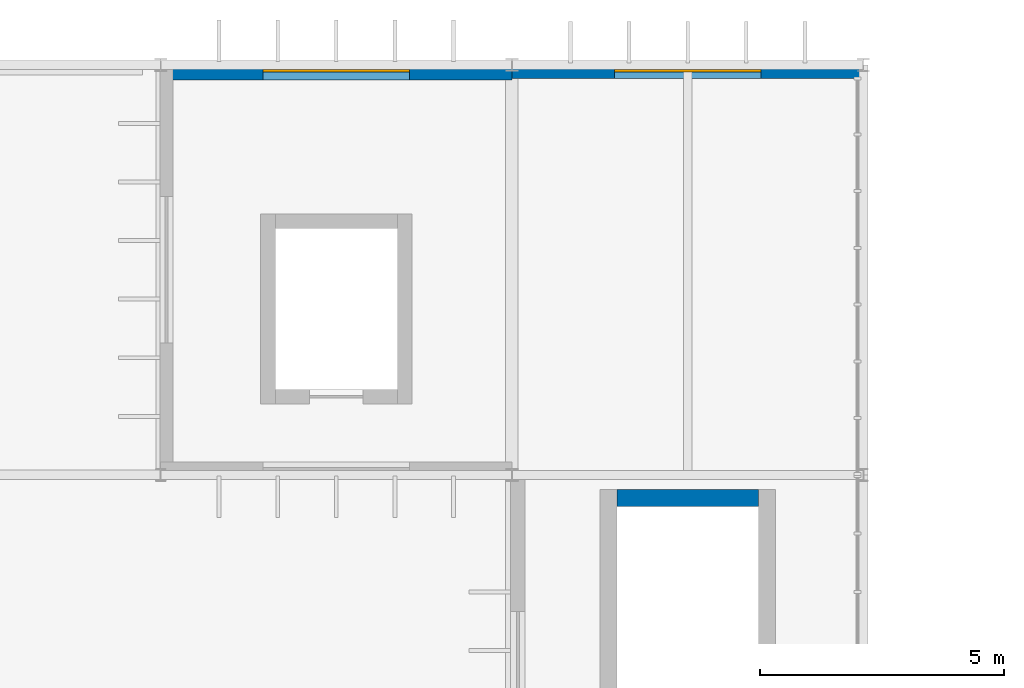
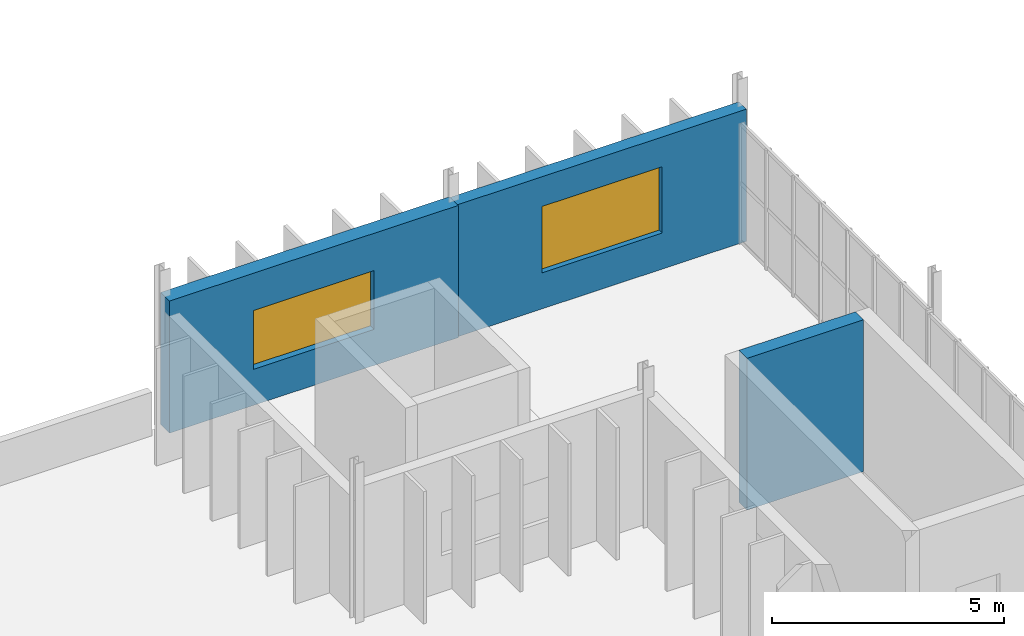
# One storey, part 17 of 18: 3 walls, 2 windows, 2 openings.
"""IFC4 building model written with IfcOpenShell, lengths in metres."""

from ifc_helpers import new_model, si_unit, direction, frame, frame_2d, origin, place, context, subcontext, project, spatial, rectangle, extrude, material, layer, layer_set, type_object, element, fill, save


model = new_model("IFC4")

# Units and contexts
model_context = context("Model", 3, precision=1e-05, world=origin(), true_north=direction((0.0, 1.0)))
body_context = subcontext(model_context, "Body", "Model", "MODEL_VIEW")
ifc_project = project(units=[si_unit("LENGTHUNIT", "METRE"), si_unit("AREAUNIT", "SQUARE_METRE"), si_unit("VOLUMEUNIT", "CUBIC_METRE"), si_unit("PLANEANGLEUNIT", "RADIAN"), si_unit("MASSUNIT", "GRAM", prefix="KILO")], contexts=[model_context])

# Site, building, storey
site_placement = place(None, origin())
site = spatial("IfcSite", under=ifc_project, at=site_placement, CompositionType="ELEMENT")
building_placement = place(site_placement, origin())
building = spatial("IfcBuilding", under=site, at=building_placement, Name="Qelthora Terrace Specialist Clinic", CompositionType="ELEMENT")
storey_placement = place(building_placement, frame((0.0, 0.0, 21.60009765625)))
storey = spatial("IfcBuildingStorey", under=building, at=storey_placement, Name="L05", CompositionType="ELEMENT", Elevation=21.60009765625)

# Wall
ifc_material_1 = material(Name="Concrete C40/50", Category="concrete")
ifc_layer_1 = layer(ifc_material_1, 0.35009765625)
ifc_layer_set_1 = layer_set([ifc_layer_1], Name="Concrete C40/50")
wall_type_1 = type_object("IfcWallType", Name="WAL-CORE-350-C40", PredefinedType="SHEAR", material=ifc_layer_set_1)
wall_1_placement = place(storey_placement, frame((38.14990234375, 100.324951171875, 0.0), z_axis=(0.0, 0.0, 1.0), x_axis=(1.0, 0.0, 0.0)))
element("IfcWall", 1, at=wall_1_placement, inside=storey, type_object=wall_type_1, Name="ST-02 L05 north shear core wall", PredefinedType="SHEAR", context=body_context, shape_type="SweptSolid", body=[
    extrude(rectangle(XDim=2.900146484375, YDim=0.35009765625, at=frame_2d((1.4501953125, 0.0))), origin(), (0.0, 0.0, 1.0), 4.0),
])

# Wall, opening, window
ifc_material_2 = material(Name="Precast concrete C40/50", Category="concrete")
ifc_layer_2 = layer(ifc_material_2, 0.320068359375)
ifc_layer_set_2 = layer_set([ifc_layer_2], Name="Precast concrete C40/50")
wall_type_2 = type_object("IfcWallType", Name="WAL-EXT-320-PC40", PredefinedType="SOLIDWALL", material=ifc_layer_set_2)
wall_2_placement = place(storey_placement, frame((36.0, 109.080078125, 0.0), z_axis=(0.0, 0.0, 1.0), x_axis=(1.0, 0.0, 0.0)))
wall_2 = element("IfcWall", 2, at=wall_2_placement, inside=storey, type_object=wall_type_2, Name="L05 external precast wall 416", PredefinedType="SOLIDWALL", context=body_context, shape_type="SweptSolid", body=[
    extrude(rectangle(XDim=7.199951171875, YDim=0.320068359375, at=frame_2d((3.60009765625, 0.0))), origin(), (0.0, 0.0, 1.0), 3.48193359375),
])
opening_1_placement = place(wall_2_placement, frame((2.10009765625, 0.0, 0.949951171875)))
opening_1 = element("IfcOpeningElement", 3, at=opening_1_placement, cuts=wall_2, Name="Opening WN-L05-372", PredefinedType="OPENING", context=body_context, shape_type="SweptSolid", body=[
    extrude(rectangle(XDim=3.0, YDim=1.75, at=frame_2d((1.5, 0.875))), frame((0.0, 0.169921875, 0.0), z_axis=(0.0, -1.0, 0.0), x_axis=(1.0, 0.0, 0.0)), (0.0, 0.0, 1.0), 0.340087890625),
])
ifc_material_3 = material(Name="Low-E triple-silver insulating glass", Category="glass")
window_type_1 = type_object("IfcWindowType", Name="WIN-3000X1750", PartitioningType="DOUBLE_PANEL_VERTICAL", PredefinedType="WINDOW", material=ifc_material_3)
window_1_placement = place(opening_1_placement, origin())
window_1 = element("IfcWindow", 4, at=window_1_placement, inside=storey, type_object=window_type_1, Name="Clinical window WN-L05-372", OverallHeight=1.75, OverallWidth=3.0, PartitioningType="SINGLE_PANEL", PredefinedType="WINDOW", context=body_context, shape_type="SweptSolid", body=[
    extrude(rectangle(XDim=3.0, YDim=1.75, at=frame_2d((1.5, 0.875))), frame((0.0, 0.030029296875, 0.0), z_axis=(0.0, -1.0, 0.0), x_axis=(1.0, 0.0, 0.0)), (0.0, 0.0, 1.0), 0.06005859375),
])
fill(opening_1, window_1)

ifc_layer_3 = layer(ifc_material_2, 0.3798828125)
ifc_layer_set_3 = layer_set([ifc_layer_3], Name="Precast concrete C40/50")
wall_type_3 = type_object("IfcWallType", Name="WAL-EXT-380-PC40", PredefinedType="SOLIDWALL", material=ifc_layer_set_3)
wall_3_placement = place(storey_placement, frame((28.800048828125, 109.080078125, 0.0), z_axis=(0.0, 0.0, 1.0), x_axis=(1.0, 0.0, 0.0)))
wall_3 = element("IfcWall", 5, at=wall_3_placement, inside=storey, type_object=wall_type_3, Name="L05 external precast wall 415", PredefinedType="SOLIDWALL", context=body_context, shape_type="SweptSolid", body=[
    extrude(rectangle(XDim=7.199951171875, YDim=0.3798828125, at=frame_2d((3.60009765625, 0.0))), origin(), (0.0, 0.0, 1.0), 3.48193359375),
])
opening_2_placement = place(wall_3_placement, frame((2.10009765625, 0.0, 0.949951171875)))
opening_2 = element("IfcOpeningElement", 6, at=opening_2_placement, cuts=wall_3, Name="Opening WN-L05-371", PredefinedType="OPENING", context=body_context, shape_type="SweptSolid", body=[
    extrude(rectangle(XDim=3.0, YDim=1.550048828125, at=frame_2d((1.5, 0.77490234375))), frame((0.0, 0.199951171875, 0.0), z_axis=(0.0, -1.0, 0.0), x_axis=(1.0, 0.0, 0.0)), (0.0, 0.0, 1.0), 0.39990234375),
])
window_type_2 = type_object("IfcWindowType", Name="WIN-3000X1550", PartitioningType="DOUBLE_PANEL_VERTICAL", PredefinedType="WINDOW", material=ifc_material_3)
window_2_placement = place(opening_2_placement, origin())
window_2 = element("IfcWindow", 7, at=window_2_placement, inside=storey, type_object=window_type_2, Name="Clinical window WN-L05-371", OverallHeight=1.550048828125, OverallWidth=3.0, PartitioningType="SINGLE_PANEL", PredefinedType="WINDOW", context=body_context, shape_type="SweptSolid", body=[
    extrude(rectangle(XDim=3.0, YDim=1.550048828125, at=frame_2d((1.5, 0.77490234375))), frame((0.0, 0.030029296875, 0.0), z_axis=(0.0, -1.0, 0.0), x_axis=(1.0, 0.0, 0.0)), (0.0, 0.0, 1.0), 0.06005859375),
])
fill(opening_2, window_2)

save(model, "model.ifc")
